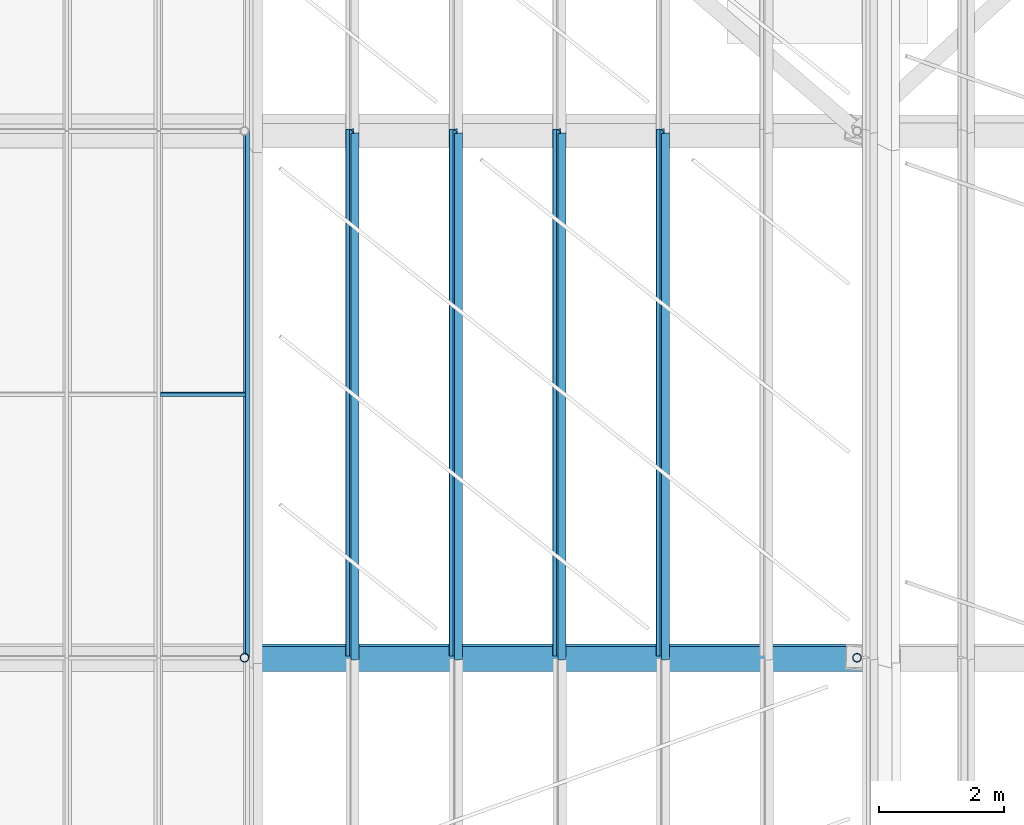
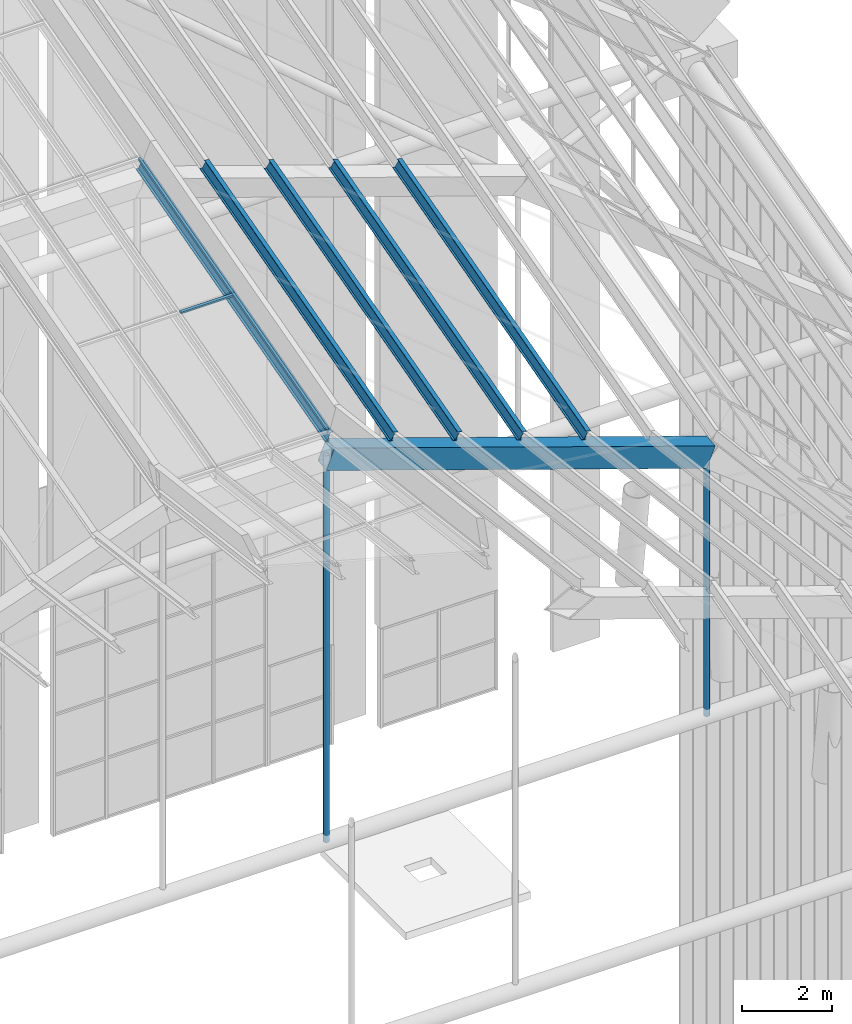
# One storey, part 47 of 126: 9 members, 1 beam.
"""IFC4 building model written with IfcOpenShell, lengths in metres."""

from ifc_helpers import new_model, si_unit, direction, frame, origin, origin_2d, place, context, subcontext, project, spatial, polyline, rectangle, hollow_circle, i_section, outline, extrude, material, material_profile, profile_set, type_object, element, save


model = new_model("IFC4")

# Units and contexts
model_context = context("Model", 3, precision=1e-05, world=origin(), true_north=direction((0.0, 1.0)))
body_context = subcontext(model_context, "Body", "Model", "MODEL_VIEW")
ifc_project = project(units=[si_unit("LENGTHUNIT", "METRE"), si_unit("AREAUNIT", "SQUARE_METRE"), si_unit("VOLUMEUNIT", "CUBIC_METRE"), si_unit("PLANEANGLEUNIT", "RADIAN"), si_unit("MASSUNIT", "GRAM", prefix="KILO")], contexts=[model_context])

# Site, building, storey
site_placement = place(None, origin())
site = spatial("IfcSite", under=ifc_project, at=site_placement, CompositionType="ELEMENT")
building_placement = place(site_placement, origin())
building = spatial("IfcBuilding", under=site, at=building_placement, Name="Sava Quay Ferry Terminal", CompositionType="ELEMENT")
storey_placement = place(building_placement, frame((0.0, 0.0, 15.0)))
storey = spatial("IfcBuildingStorey", under=building, at=storey_placement, Name="L03", CompositionType="ELEMENT", Elevation=15.0)

# Beam
ifc_material_1 = material(Name="Steel S355", Category="steel")
ifc_material_profile_1 = material_profile(ifc_material_1, outline(polyline([(-0.199951171875, -0.300048828125), (0.199951171875, -0.300048828125), (0.199951171875, 0.300048828125), (-0.199951171875, 0.300048828125), (-0.199951171875, -0.300048828125)]), holes=[polyline([(-0.175048828125, -0.27490234375), (-0.175048828125, 0.27490234375), (0.175048828125, 0.27490234375), (0.175048828125, -0.27490234375), (-0.175048828125, -0.27490234375)])]), Name="Box 600x400x25 built-up")
ifc_profile_set_1 = profile_set([ifc_material_profile_1], Name="Steel S355")
beam_type = type_object("IfcBeamType", Name="D folded rib Box 600x400x25", PredefinedType="BEAM", material=ifc_profile_set_1)
beam_placement = place(storey_placement, frame((65.10009765625, 84.0, 21.526123046875), z_axis=(0.945520775213, 0.0, -0.325561766247), x_axis=(0.0221801038, 0.99767654007, 0.064417112554)))
element("IfcBeam", 1, at=beam_placement, inside=storey, type_object=beam_type, Name="Departure hall folded rib R4 seg 4", PredefinedType="BEAM", context=body_context, shape_type="SweptSolid", body=[
    extrude(outline(polyline([(-0.199951171875, -0.300048828125), (0.199951171875, -0.300048828125), (0.199951171875, 0.300048828125), (-0.199951171875, 0.300048828125), (-0.199951171875, -0.300048828125)]), holes=[polyline([(-0.175048828125, -0.27490234375), (-0.175048828125, 0.27490234375), (0.175048828125, 0.27490234375), (0.175048828125, -0.27490234375), (-0.175048828125, -0.27490234375)])]), origin(), (0.0, 0.0, 1.0), 10.3330078125),
])

# Members
ifc_material_2 = material(Name="Aluminium EN AW-6063 T6", Category="aluminium")
ifc_material_profile_2 = material_profile(ifc_material_2, rectangle(XDim=0.06005859375, YDim=0.06005859375, at=origin_2d()), Name="Bar 60 x 60")
ifc_profile_set_2 = profile_set([ifc_material_profile_2], Name="Aluminium EN AW-6063 T6")
member_type_1 = type_object("IfcMemberType", Name="Glazing bar 60x60", PredefinedType="USERDEFINED", material=ifc_profile_set_2)
member_1_placement = place(storey_placement, frame((65.14697265625, 84.0, 22.148193359375), z_axis=(0.0, 0.964553254836, 0.263888269132), x_axis=(-1.0, 0.0, 0.0)))
element("IfcMember", 2, at=member_1_placement, inside=storey, type_object=member_type_1, Name="Departure hall glazing bar D-B4-GL2.3", ObjectType="GLAZING BAR", PredefinedType="USERDEFINED", context=body_context, shape_type="SweptSolid", body=[
    extrude(rectangle(XDim=0.06005859375, YDim=0.06005859375, at=origin_2d()), origin(), (0.0, 0.0, 1.0), 8.70849609375),
])
member_2_placement = place(storey_placement, frame((63.762451171875, 88.199951171875, 23.29736328125), z_axis=(1.0, 0.0, 0.0), x_axis=(0.0, 0.964556832817, 0.263875190699)))
element("IfcMember", 3, at=member_2_placement, inside=storey, type_object=member_type_1, Name="Departure hall glazing bar D-B4M-GT2.2", ObjectType="GLAZING BAR", PredefinedType="USERDEFINED", context=body_context, shape_type="SweptSolid", body=[
    extrude(rectangle(XDim=0.06005859375, YDim=0.06005859375, at=origin_2d()), origin(), (0.0, 0.0, 1.0), 1.3544921875),
])
ifc_material_3 = material(Name="Steel S355", Category="steel")
ifc_material_profile_3 = material_profile(ifc_material_3, i_section(OverallWidth=0.135009765625, OverallDepth=0.27001953125, WebThickness=0.006591796875, FlangeThickness=0.01025390625, at=origin_2d()), Name="IPE 270")
ifc_profile_set_3 = profile_set([ifc_material_profile_3], Name="Steel S355")
member_type_2 = type_object("IfcMemberType", Name="Roof purlin IPE 270", PredefinedType="PURLIN", material=ifc_profile_set_3)
for number, where, z_axis, x_axis, name in (
    (4, (65.17041015625, 84.0, 21.977294921875), (0.0, 0.964560390264, 0.263862186629), (-0.987174546341, -0.042124187079, 0.153986908271), "Departure hall purlin bay 5 V3"),
    (5, (66.821044921875, 84.0, 21.40869140625), (0.0, 0.964553254836, 0.263888269132), (-0.949027169883, -0.0831760716, 0.3040216636), "Departure hall purlin bay 5 M3.1"),
    (6, (68.471923828125, 84.0, 20.84033203125), (0.0, 0.964553254836, 0.263888269132), (-0.949027169883, -0.0831760716, 0.3040216636), "Departure hall purlin bay 5 M3.2"),
    (7, (70.12255859375, 84.0, 20.27197265625), (0.0, 0.964553254836, 0.263888269132), (-0.949027169883, -0.0831760716, 0.3040216636), "Departure hall purlin bay 5 M3.3"),
    (8, (71.7734375, 84.0, 19.70361328125), (0.0, 0.964553254836, 0.263888269132), (-0.949027169883, -0.0831760716, 0.3040216636), "Departure hall purlin bay 5 M3.4"),
):
    element("IfcMember", number, at=place(storey_placement, frame(where, z_axis=z_axis, x_axis=x_axis)), inside=storey, type_object=member_type_2, Name=name, PredefinedType="PURLIN", context=body_context, shape_type="SweptSolid", body=[
        extrude(i_section(OverallWidth=0.135009765625, OverallDepth=0.27001953125, WebThickness=0.006591796875, FlangeThickness=0.01025390625, at=origin_2d()), origin(), (0.0, 0.0, 1.0), 8.70849609375),
    ])
ifc_material_4 = material(Name="Steel S355", Category="steel")
ifc_material_profile_4 = material_profile(ifc_material_4, hollow_circle(Radius=0.06982421875, WallThickness=0.008056640625, at=origin_2d()), Name="CHS 139.7 x 8.0")
ifc_profile_set_4 = profile_set([ifc_material_profile_4], Name="Steel S355")
member_type_3 = type_object("IfcMemberType", Name="Tie hanger CHS 139.7x8", PredefinedType="USERDEFINED", material=ifc_profile_set_4)
member_3_placement = place(storey_placement, frame((65.10009765625, 84.0, 11.029052734375), z_axis=(0.0, 0.0, 1.0), x_axis=(1.0, 0.0, 0.0)))
element("IfcMember", 9, at=member_3_placement, inside=storey, type_object=member_type_3, Name="Departure hall tie hanger R4 V3", ObjectType="TIE HANGER", PredefinedType="USERDEFINED", context=body_context, shape_type="SweptSolid", body=[
    extrude(hollow_circle(Radius=0.06982421875, WallThickness=0.008056640625, at=origin_2d()), origin(), (0.0, 0.0, 1.0), 10.4970703125),
])
member_4_placement = place(storey_placement, frame((74.8701171875, 84.0, 11.029052734375), z_axis=(0.0, 0.0, 1.0), x_axis=(1.0, 0.0, 0.0)))
element("IfcMember", 10, at=member_4_placement, inside=storey, type_object=member_type_3, Name="Departure hall tie hanger R4 V4", ObjectType="TIE HANGER", PredefinedType="USERDEFINED", context=body_context, shape_type="SweptSolid", body=[
    extrude(hollow_circle(Radius=0.06982421875, WallThickness=0.008056640625, at=origin_2d()), origin(), (0.0, 0.0, 1.0), 7.133056640625),
])

save(model, "model.ifc")
